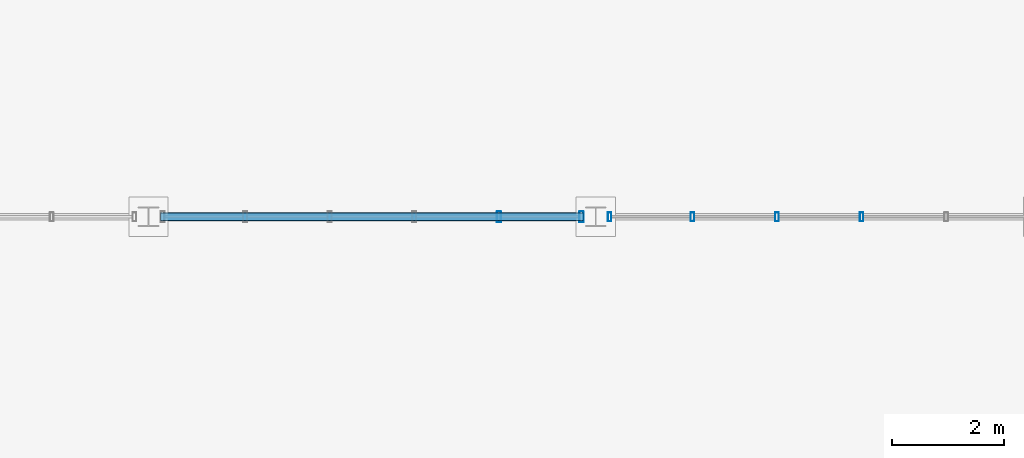
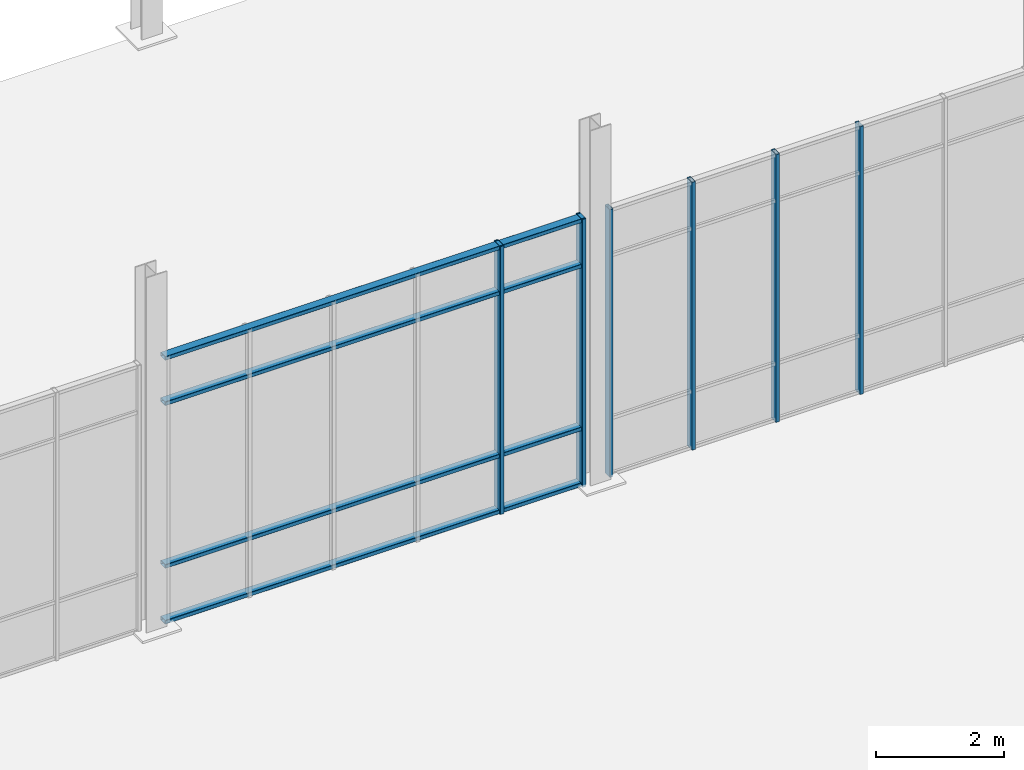
# One storey, part 66 of 140: 10 members, 2 elements without a shape of their own.
"""IFC4 building model written with IfcOpenShell, lengths in metres."""

from ifc_helpers import new_model, si_unit, direction, frame, origin, origin_2d, place, context, subcontext, project, spatial, hollow_rectangle, extrude, material, material_profile, profile_set, type_object, element, aggregate, save


model = new_model("IFC4")

# Units and contexts
model_context = context("Model", 3, precision=1e-05, world=origin(), true_north=direction((0.0, 1.0)))
body_context = subcontext(model_context, "Body", "Model", "MODEL_VIEW")
ifc_project = project(units=[si_unit("LENGTHUNIT", "METRE"), si_unit("AREAUNIT", "SQUARE_METRE"), si_unit("VOLUMEUNIT", "CUBIC_METRE"), si_unit("PLANEANGLEUNIT", "RADIAN"), si_unit("MASSUNIT", "GRAM", prefix="KILO")], contexts=[model_context])

# Site, building, storey
site_placement = place(None, origin())
site = spatial("IfcSite", under=ifc_project, at=site_placement, CompositionType="ELEMENT")
building_placement = place(site_placement, origin())
building = spatial("IfcBuilding", under=site, at=building_placement, Name="Verrall Gate Interchange", CompositionType="ELEMENT")
storey_placement = place(building_placement, origin())
storey = spatial("IfcBuildingStorey", under=building, at=storey_placement, Name="L01", CompositionType="ELEMENT", Elevation=0.0)

# Curtain wall, members
ifc_material_1 = material(Name="Thermally Broken Anodized Aluminium Curtain Wall Framing", Category="aluminium")
curtain_wall_type = type_object("IfcCurtainWallType", Name="CW-06 Unitized Curtain Wall 7631x5100", PredefinedType="NOTDEFINED", material=ifc_material_1)
curtain_wall_1_placement = place(storey_placement, origin())
curtain_wall_1 = element("IfcCurtainWall", 1, at=curtain_wall_1_placement, inside=storey, type_object=curtain_wall_type, Name="L01 Unitized Curtain Wall CW-L01-032", PredefinedType="NOTDEFINED")
ifc_material_2 = material(Name="Thermally Broken Anodized Aluminium Curtain Wall Framing", Category="aluminium")
ifc_material_profile_1 = material_profile(ifc_material_2, hollow_rectangle(XDim=0.06494140625, YDim=0.159912109375, WallThickness=0.00390625, InnerFilletRadius=0.00390625, OuterFilletRadius=0.008056640625, at=origin_2d()), Name="CWM160x65x4")
ifc_profile_set_1 = profile_set([ifc_material_profile_1], Name="Thermally Broken Anodized Aluminium Curtain Wall Framing")
member_type_1 = type_object("IfcMemberType", Name="CM-01 Curtain Mullion CWM160x65x4", PredefinedType="MULLION", material=ifc_profile_set_1)
member_1_placement = place(storey_placement, frame((80.756591796875, 90.0, 0.0), z_axis=(0.0, 0.0, 1.0), x_axis=(-1.0, 0.0, 0.0)))
member_1 = element("IfcMember", 2, at=member_1_placement, type_object=member_type_1, Name="CW-L01-032 Mullion 3", PredefinedType="MULLION", context=body_context, shape_type="SweptSolid", body=[
    extrude(hollow_rectangle(XDim=0.06494140625, YDim=0.159912109375, WallThickness=0.00390625, InnerFilletRadius=0.00390625, OuterFilletRadius=0.008056640625, at=origin_2d()), origin(), (0.0, 0.0, 1.0), 5.10009765625),
])
member_2_placement = place(storey_placement, frame((79.243408203125, 90.0, 0.0), z_axis=(0.0, 0.0, 1.0), x_axis=(-1.0, 0.0, 0.0)))
member_2 = element("IfcMember", 3, at=member_2_placement, type_object=member_type_1, Name="CW-L01-032 Mullion 4", PredefinedType="MULLION", context=body_context, shape_type="SweptSolid", body=[
    extrude(hollow_rectangle(XDim=0.06494140625, YDim=0.159912109375, WallThickness=0.00390625, InnerFilletRadius=0.00390625, OuterFilletRadius=0.008056640625, at=origin_2d()), origin(), (0.0, 0.0, 1.0), 5.10009765625),
])
member_3_placement = place(storey_placement, frame((77.72998046875, 90.0, 0.0), z_axis=(0.0, 0.0, 1.0), x_axis=(-1.0, 0.0, 0.0)))
member_3 = element("IfcMember", 4, at=member_3_placement, type_object=member_type_1, Name="CW-L01-032 Mullion 5", PredefinedType="MULLION", context=body_context, shape_type="SweptSolid", body=[
    extrude(hollow_rectangle(XDim=0.06494140625, YDim=0.159912109375, WallThickness=0.00390625, InnerFilletRadius=0.00390625, OuterFilletRadius=0.008056640625, at=origin_2d()), origin(), (0.0, 0.0, 1.0), 5.10009765625),
])
member_4_placement = place(storey_placement, frame((76.2490234375, 90.0, 0.0), z_axis=(0.0, 0.0, 1.0), x_axis=(-1.0, 0.0, 0.0)))
member_4 = element("IfcMember", 5, at=member_4_placement, type_object=member_type_1, Name="CW-L01-032 Mullion 6", PredefinedType="MULLION", context=body_context, shape_type="SweptSolid", body=[
    extrude(hollow_rectangle(XDim=0.06494140625, YDim=0.159912109375, WallThickness=0.00390625, InnerFilletRadius=0.00390625, OuterFilletRadius=0.008056640625, at=origin_2d()), origin(), (0.0, 0.0, 1.0), 5.10009765625),
])
aggregate(curtain_wall_1, [member_1, member_2, member_3, member_4])

curtain_wall_2_placement = place(storey_placement, origin())
curtain_wall_2 = element("IfcCurtainWall", 6, at=curtain_wall_2_placement, inside=storey, type_object=curtain_wall_type, Name="L01 Unitized Curtain Wall CW-L01-033", PredefinedType="NOTDEFINED")
ifc_material_3 = material(Name="Thermally Broken Anodized Aluminium Curtain Wall Framing", Category="aluminium")
ifc_material_profile_2 = material_profile(ifc_material_3, hollow_rectangle(XDim=0.074951171875, YDim=0.199951171875, WallThickness=0.0048828125, InnerFilletRadius=0.0048828125, OuterFilletRadius=0.010009765625, at=origin_2d()), Name="CWM200x75x5")
ifc_profile_set_2 = profile_set([ifc_material_profile_2], Name="Thermally Broken Anodized Aluminium Curtain Wall Framing")
member_type_2 = type_object("IfcMemberType", Name="CM-02 Curtain Mullion CWM200x75x5", PredefinedType="MULLION", material=ifc_profile_set_2)
member_5_placement = place(storey_placement, frame((75.74609375, 90.0, 0.0), z_axis=(0.0, 0.0, 1.0), x_axis=(-1.0, 0.0, 0.0)))
member_5 = element("IfcMember", 7, at=member_5_placement, type_object=member_type_2, Name="CW-L01-033 Mullion 1", PredefinedType="MULLION", context=body_context, shape_type="SweptSolid", body=[
    extrude(hollow_rectangle(XDim=0.074951171875, YDim=0.199951171875, WallThickness=0.0048828125, InnerFilletRadius=0.0048828125, OuterFilletRadius=0.010009765625, at=origin_2d()), origin(), (0.0, 0.0, 1.0), 5.10009765625),
])
member_6_placement = place(storey_placement, frame((74.27001953125, 90.0, 0.0), z_axis=(0.0, 0.0, 1.0), x_axis=(-1.0, 0.0, 0.0)))
member_6 = element("IfcMember", 8, at=member_6_placement, type_object=member_type_2, Name="CW-L01-033 Mullion 2", PredefinedType="MULLION", context=body_context, shape_type="SweptSolid", body=[
    extrude(hollow_rectangle(XDim=0.074951171875, YDim=0.199951171875, WallThickness=0.0048828125, InnerFilletRadius=0.0048828125, OuterFilletRadius=0.010009765625, at=origin_2d()), origin(), (0.0, 0.0, 1.0), 5.10009765625),
])
ifc_material_4 = material(Name="Thermally Broken Anodized Aluminium Curtain Wall Framing", Category="aluminium")
ifc_material_profile_3 = material_profile(ifc_material_4, hollow_rectangle(XDim=0.14990234375, YDim=0.074951171875, WallThickness=0.00439453125, InnerFilletRadius=0.00439453125, OuterFilletRadius=0.009033203125, at=origin_2d()), Name="CWT150x75x4.5")
ifc_profile_set_3 = profile_set([ifc_material_profile_3], Name="Thermally Broken Anodized Aluminium Curtain Wall Framing")
member_type_3 = type_object("IfcMemberType", Name="CT-02 Curtain Transom CWT150x75x4.5", PredefinedType="USERDEFINED", material=ifc_profile_set_3)
member_7_placement = place(storey_placement, frame((75.783447265625, 90.0, 0.03759765625), z_axis=(-1.0, 0.0, 0.0), x_axis=(0.0, -1.0, 0.0)))
member_7 = element("IfcMember", 9, at=member_7_placement, type_object=member_type_3, Name="CW-L01-033 Transom 1", ObjectType="TRANSOM", PredefinedType="USERDEFINED", context=body_context, shape_type="SweptSolid", body=[
    extrude(hollow_rectangle(XDim=0.14990234375, YDim=0.074951171875, WallThickness=0.00439453125, InnerFilletRadius=0.00439453125, OuterFilletRadius=0.009033203125, at=origin_2d()), origin(), (0.0, 0.0, 1.0), 7.56689453125),
])
member_8_placement = place(storey_placement, frame((75.783447265625, 90.0, 1.10009765625), z_axis=(-1.0, 0.0, 0.0), x_axis=(0.0, -1.0, 0.0)))
member_8 = element("IfcMember", 10, at=member_8_placement, type_object=member_type_3, Name="CW-L01-033 Transom 2", ObjectType="TRANSOM", PredefinedType="USERDEFINED", context=body_context, shape_type="SweptSolid", body=[
    extrude(hollow_rectangle(XDim=0.14990234375, YDim=0.074951171875, WallThickness=0.00439453125, InnerFilletRadius=0.00439453125, OuterFilletRadius=0.009033203125, at=origin_2d()), origin(), (0.0, 0.0, 1.0), 7.56689453125),
])
member_9_placement = place(storey_placement, frame((75.783447265625, 90.0, 4.199951171875), z_axis=(-1.0, 0.0, 0.0), x_axis=(0.0, -1.0, 0.0)))
member_9 = element("IfcMember", 11, at=member_9_placement, type_object=member_type_3, Name="CW-L01-033 Transom 3", ObjectType="TRANSOM", PredefinedType="USERDEFINED", context=body_context, shape_type="SweptSolid", body=[
    extrude(hollow_rectangle(XDim=0.14990234375, YDim=0.074951171875, WallThickness=0.00439453125, InnerFilletRadius=0.00439453125, OuterFilletRadius=0.009033203125, at=origin_2d()), origin(), (0.0, 0.0, 1.0), 7.56689453125),
])
member_10_placement = place(storey_placement, frame((75.783447265625, 90.0, 5.0625), z_axis=(-1.0, 0.0, 0.0), x_axis=(0.0, -1.0, 0.0)))
member_10 = element("IfcMember", 12, at=member_10_placement, type_object=member_type_3, Name="CW-L01-033 Transom 4", ObjectType="TRANSOM", PredefinedType="USERDEFINED", context=body_context, shape_type="SweptSolid", body=[
    extrude(hollow_rectangle(XDim=0.14990234375, YDim=0.074951171875, WallThickness=0.00439453125, InnerFilletRadius=0.00439453125, OuterFilletRadius=0.009033203125, at=origin_2d()), origin(), (0.0, 0.0, 1.0), 7.56689453125),
])
aggregate(curtain_wall_2, [member_5, member_6, member_7, member_8, member_9, member_10])

save(model, "model.ifc")
